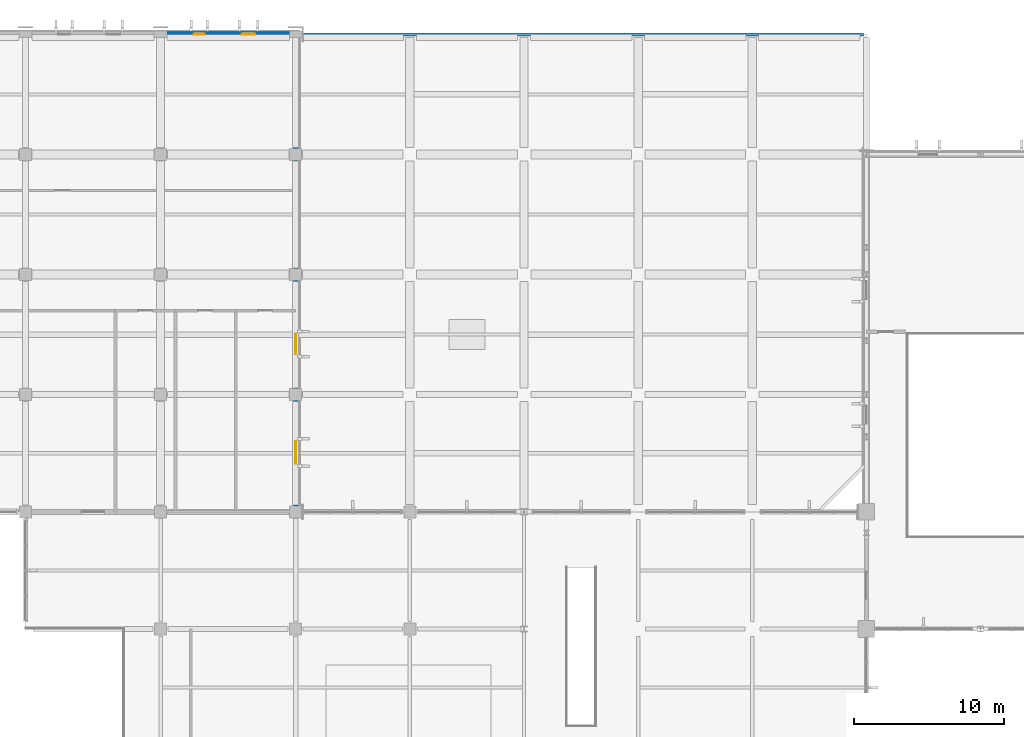
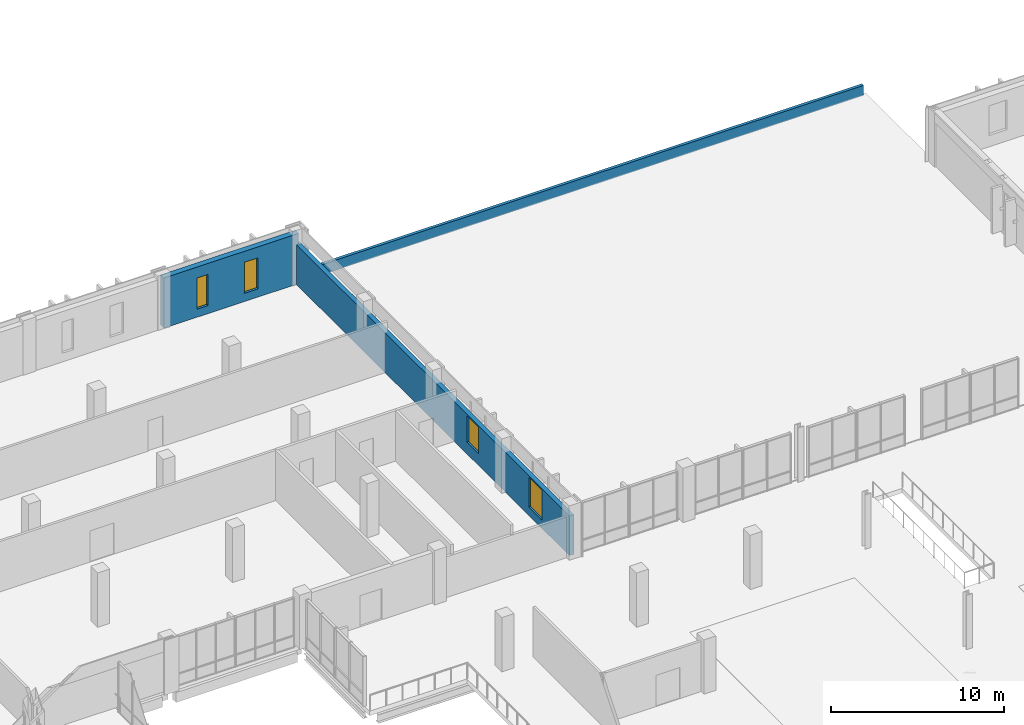
# One storey, part 62 of 85: 4 windows, 3 walls, 4 openings.
"""IFC4 building model written with IfcOpenShell, lengths in metres."""

import ifcopenshell
import ifcopenshell.guid

model = None  # the IFC model being written
_history = None  # IfcOwnerHistory: only IFC2X3 demands one
_inside = {}  # id of a spatial element -> (the spatial element, [elements in it])
_under = {}  # id of a project, library or spatial element -> (it, [spatial elements below it])
_declared = {}  # id of a project -> (the project, [libraries it declares])
_typed = {}  # id of a type object -> (the type object, [elements of that type])
_made_of = {}  # id of a material, layer set ... -> (it, [elements and type objects made of it])


def new_model(schema):
    """Start an empty IFC model of exactly this schema.

    Asked for "IFC4X3", IfcOpenShell would pick the latest addendum, in which some entities
    have other attributes; the version numbers below select the first issue.
    IFC2X3 requires an IfcOwnerHistory on every rooted entity: one is made here for all.
    """
    global model, _history
    if schema == "IFC4X3":
        model = ifcopenshell.file(schema_version=(4, 3, 0, 0))
    else:
        model = ifcopenshell.file(schema=schema)
    _inside.clear()
    _under.clear()
    _declared.clear()
    _typed.clear()
    _made_of.clear()
    _history = None
    if model.schema == "IFC2X3":
        org = make("IfcOrganization", Name="unknown")
        user = make(
            "IfcPersonAndOrganization",
            ThePerson=make("IfcPerson", FamilyName="unknown"),
            TheOrganization=org,
        )
        app = make(
            "IfcApplication",
            ApplicationDeveloper=org,
            Version="unknown",
            ApplicationFullName="unknown",
            ApplicationIdentifier="unknown",
        )
        _history = make(
            "IfcOwnerHistory",
            OwningUser=user,
            OwningApplication=app,
            ChangeAction="ADDED",
            CreationDate=0,
        )
    return model


def make(cls, **values):
    """One entity of the class cls with the attributes given. An attribute that is None is left unset."""
    return model.create_entity(
        cls, **{name: value for name, value in values.items() if value is not None}
    )


def rooted(cls, **values):
    """An entity with a GlobalId (a new one), such as an element, a storey or a relation."""
    return make(cls, GlobalId=ifcopenshell.guid.new(), OwnerHistory=_history, **values)


def si_unit(unit_type, name, prefix=None):
    """IfcSIUnit, for example si_unit("LENGTHUNIT", "METRE", prefix="MILLI")."""
    return make("IfcSIUnit", UnitType=unit_type, Prefix=prefix, Name=name)


def assignment(units):
    """IfcUnitAssignment: the units of a project."""
    return None if units is None else make("IfcUnitAssignment", Units=units)


def point(xyz):
    """IfcCartesianPoint."""
    return None if xyz is None else make("IfcCartesianPoint", Coordinates=xyz)


def direction(xyz):
    """IfcDirection."""
    return None if xyz is None else make("IfcDirection", DirectionRatios=xyz)


def frame(location, z_axis=None, x_axis=None):
    """IfcAxis2Placement3D, a coordinate frame: its origin and axes. An axis left out is left unset."""
    return make(
        "IfcAxis2Placement3D",
        Location=point(location),
        Axis=direction(z_axis),
        RefDirection=direction(x_axis),
    )


def frame_2d(location, x_axis=None):
    """IfcAxis2Placement2D, a coordinate frame in the plane: its origin and x axis."""
    return make(
        "IfcAxis2Placement2D", Location=point(location), RefDirection=direction(x_axis)
    )


def origin():
    """The frame at (0, 0, 0) with its axes left unset."""
    return frame((0.0, 0.0, 0.0))


def place(relative_to, where):
    """IfcLocalPlacement: puts the frame where relative to a parent placement (None: the world)."""
    return make(
        "IfcLocalPlacement", PlacementRelTo=relative_to, RelativePlacement=where
    )


def context(
    kind, dimensions, precision=None, world=None, true_north=None, identifier=None
):
    """IfcGeometricRepresentationContext, for example the 3D "Model" context."""
    return make(
        "IfcGeometricRepresentationContext",
        ContextIdentifier=identifier,
        ContextType=kind,
        CoordinateSpaceDimension=dimensions,
        Precision=precision,
        WorldCoordinateSystem=world,
        TrueNorth=true_north,
    )


def subcontext(parent, identifier, kind, view, scale=None):
    """IfcGeometricRepresentationSubContext, for example "Body" below "Model"."""
    return make(
        "IfcGeometricRepresentationSubContext",
        ContextIdentifier=identifier,
        ContextType=kind,
        ParentContext=parent,
        TargetScale=scale,
        TargetView=view,
    )


def project(units=None, contexts=None):
    """IfcProject with its units and contexts."""
    return rooted(
        "IfcProject",
        Name="project",
        RepresentationContexts=contexts,
        UnitsInContext=assignment(units),
    )


def spatial(cls, under=None, at=None, **own):
    """A site, building, storey or space (cls), placed at a placement, below another one or the project."""
    s = rooted(cls, ObjectPlacement=at, **own)
    if under is not None:
        _under.setdefault(under.id(), (under, []))[1].append(s)
    return s


def profile(cls, at=None, kind="AREA", **sizes):
    """A parametric profile (cls). Its sizes go by their IFC names, for example OverallWidth=200.0."""
    return make(cls, ProfileType=kind, Position=at, **sizes)


def rectangle(**sizes):
    """IfcRectangleProfileDef."""
    return profile("IfcRectangleProfileDef", **sizes)


def extrude(swept, where, along, depth):
    """IfcExtrudedAreaSolid: the profile swept, set in the frame where, extruded along a direction by depth."""
    return make(
        "IfcExtrudedAreaSolid",
        SweptArea=swept,
        Position=where,
        ExtrudedDirection=direction(along),
        Depth=depth,
    )


def shape(context_of_items, identifier, shape_type, items):
    """IfcShapeRepresentation: the items that make up one representation, for example the "Body"."""
    return make(
        "IfcShapeRepresentation",
        ContextOfItems=context_of_items,
        RepresentationIdentifier=identifier,
        RepresentationType=shape_type,
        Items=items,
    )


def material(Name=None, Category=None):
    """IfcMaterial."""
    return make("IfcMaterial", Name=Name, Category=Category)


def layer(
    of_material, thickness, ventilated=None, Name=None, Category=None, Priority=None
):
    """IfcMaterialLayer: one layer of a wall or slab, of a material (None: an air gap)."""
    return make(
        "IfcMaterialLayer",
        Material=of_material,
        LayerThickness=thickness,
        IsVentilated=ventilated,
        Name=Name,
        Category=Category,
        Priority=Priority,
    )


def layer_set(layers, Name=None):
    """IfcMaterialLayerSet."""
    return make("IfcMaterialLayerSet", MaterialLayers=layers, LayerSetName=Name)


def made_of(thing, what):
    """Note that an element or type object is made of a material, layer set ...; save() writes the relation."""
    if what is not None:
        _made_of.setdefault(what.id(), (what, []))[1].append(thing)
    return thing


def type_object(cls, material=None, **own):
    """A type object (cls), such as IfcWallType, which elements share."""
    return made_of(rooted(cls, **own), material)


def element(
    cls,
    number,
    at=None,
    inside=None,
    cuts=None,
    type_object=None,
    material=None,
    context=None,
    identifier="Body",
    shape_type=None,
    held_by="IfcProductDefinitionShape",
    body=None,
    shapes=None,
    **own,
):
    """One element of the class cls, such as IfcWall. Its Tag is "e" and its number.

    at: its placement. inside: the storey or other place that contains it. cuts: it is an
    opening in that element (IfcRelVoidsElement). A single representation is given by context,
    identifier, shape_type and body (its items); several are given by shapes. held_by: the class
    of the entity that holds the representations. save() writes the other relations.
    """
    e = rooted(cls, Tag="e%d" % number, ObjectPlacement=at, **own)
    if body is not None:
        shapes = [shape(context, identifier, shape_type, body)]
    if shapes is not None:
        e.Representation = make(held_by, Representations=shapes)
    if inside is not None:
        _inside.setdefault(inside.id(), (inside, []))[1].append(e)
    if cuts is not None:
        rooted(
            "IfcRelVoidsElement", RelatingBuildingElement=cuts, RelatedOpeningElement=e
        )
    if type_object is not None:
        _typed.setdefault(type_object.id(), (type_object, []))[1].append(e)
    return made_of(e, material)


def fill(opening, filler):
    """IfcRelFillsElement: the door or window that sits in an opening."""
    return rooted(
        "IfcRelFillsElement",
        RelatingOpeningElement=opening,
        RelatedBuildingElement=filler,
    )


def aggregate(whole, parts):
    """IfcRelAggregates: a whole, such as a stair, and the parts it consists of."""
    return rooted("IfcRelAggregates", RelatingObject=whole, RelatedObjects=parts)


def save(model, path):
    """Write the relations noted so far, then the file.

    IfcRelAggregates (storeys below a building ...), IfcRelContainedInSpatialStructure (elements
    in a storey), IfcRelDefinesByType, IfcRelAssociatesMaterial and IfcRelDeclares: one each for
    every whole, place, type object, material and project.
    """
    for whole, parts in _under.values():
        aggregate(whole, parts)
    for where, things in _inside.values():
        rooted(
            "IfcRelContainedInSpatialStructure",
            RelatedElements=things,
            RelatingStructure=where,
        )
    for kind, things in _typed.values():
        rooted("IfcRelDefinesByType", RelatedObjects=things, RelatingType=kind)
    for what, things in _made_of.values():
        rooted("IfcRelAssociatesMaterial", RelatedObjects=things, RelatingMaterial=what)
    for by, libraries in _declared.values():
        rooted("IfcRelDeclares", RelatingContext=by, RelatedDefinitions=libraries)
    model.write(path)


model = new_model("IFC4")

# Units and contexts
model_context = context("Model", 3, precision=1e-05, world=origin(), true_north=direction((0.0, 1.0)))
body_context = subcontext(model_context, "Body", "Model", "MODEL_VIEW")
ifc_project = project(units=[si_unit("LENGTHUNIT", "METRE"), si_unit("AREAUNIT", "SQUARE_METRE"), si_unit("VOLUMEUNIT", "CUBIC_METRE"), si_unit("PLANEANGLEUNIT", "RADIAN"), si_unit("MASSUNIT", "GRAM", prefix="KILO")], contexts=[model_context])

# Site, building, storey
site_placement = place(None, origin())
site = spatial("IfcSite", under=ifc_project, at=site_placement, CompositionType="ELEMENT")
building_placement = place(site_placement, origin())
building = spatial("IfcBuilding", under=site, at=building_placement, Name="Vervanel Yard Central Library", CompositionType="ELEMENT")
storey_placement = place(building_placement, frame((0.0, 0.0, 5.10009765625)))
storey = spatial("IfcBuildingStorey", under=building, at=storey_placement, Name="L01", CompositionType="ELEMENT", Elevation=5.10009765625)

# Wall, openings, windows
ifc_material_1 = material(Name="Precast concrete C45/55", Category="concrete")
ifc_layer_1 = layer(ifc_material_1, 0.300048828125, Category="concrete")
ifc_layer_set_1 = layer_set([ifc_layer_1], Name="Precast concrete C45/55")
wall_type_1 = type_object("IfcWallType", Name="Bush-Hammered Precast Cladding Wall 300", PredefinedType="SOLIDWALL", material=ifc_layer_set_1)
wall_1_placement = place(storey_placement, frame((108.0, 82.199951171875, 0.0), z_axis=(0.0, 0.0, 1.0), x_axis=(0.0, 1.0, 0.0)))
wall_1 = element("IfcWall", 1, at=wall_1_placement, inside=storey, type_object=wall_type_1, Name="L01 Bush-Hammered Precast Cladding Wall 300 EWALL-L01-0031", PredefinedType="SOLIDWALL", context=body_context, shape_type="SweptSolid", body=[
    extrude(rectangle(XDim=31.800048828125, YDim=0.300048828125, at=frame_2d((15.89990234375, 0.0))), origin(), (0.0, 0.0, 1.0), 2.81494140625),
])
opening_1_placement = place(wall_1_placement, frame((3.199951171875, 0.0, 0.594970703125)))
opening_1 = element("IfcOpeningElement", 2, at=opening_1_placement, cuts=wall_1, Name="Opening WN-02", PredefinedType="OPENING", context=body_context, shape_type="SweptSolid", body=[
    extrude(rectangle(XDim=1.5, YDim=2.10009765625, at=frame_2d((0.75, 1.050048828125))), frame((0.0, 0.159912109375, 0.0), z_axis=(0.0, -1.0, 0.0), x_axis=(1.0, 0.0, 0.0)), (0.0, 0.0, 1.0), 0.320068359375),
])
opening_2_placement = place(wall_1_placement, frame((10.5, 0.0, 0.844970703125)))
opening_2 = element("IfcOpeningElement", 3, at=opening_2_placement, cuts=wall_1, Name="Opening WN-17", PredefinedType="OPENING", context=body_context, shape_type="SweptSolid", body=[
    extrude(rectangle(XDim=1.35009765625, YDim=1.85009765625, at=frame_2d((0.675048828125, 0.925048828125))), frame((0.0, 0.159912109375, 0.0), z_axis=(0.0, -1.0, 0.0), x_axis=(1.0, 0.0, 0.0)), (0.0, 0.0, 1.0), 0.320068359375),
])
ifc_material_2 = material(Name="Double low-E laminated solar-control glass", Category="glass")
window_type_1 = type_object("IfcWindowType", Name="Archive Office Window 1350x1850", PartitioningType="SINGLE_PANEL", PredefinedType="WINDOW", material=ifc_material_2)
window_1_placement = place(opening_2_placement, origin())
window_1 = element("IfcWindow", 4, at=window_1_placement, inside=storey, type_object=window_type_1, Name="L01 Archive Office Window 1350x1850 44", OverallHeight=1.85009765625, OverallWidth=1.35009765625, PartitioningType="SINGLE_PANEL", PredefinedType="WINDOW", context=body_context, shape_type="SweptSolid", body=[
    extrude(rectangle(XDim=1.35009765625, YDim=1.85009765625, at=frame_2d((0.675048828125, 0.925048828125))), frame((0.0, 0.030029296875, 0.0), z_axis=(0.0, -1.0, 0.0), x_axis=(1.0, 0.0, 0.0)), (0.0, 0.0, 1.0), 0.06005859375),
])
fill(opening_2, window_1)
window_type_2 = type_object("IfcWindowType", Name="Reading Bay Window 1500x2100", PartitioningType="SINGLE_PANEL", PredefinedType="WINDOW", material=ifc_material_2)
window_2_placement = place(opening_1_placement, origin())
window_2 = element("IfcWindow", 5, at=window_2_placement, inside=storey, type_object=window_type_2, Name="L01 Reading Bay Window 1500x2100 43", OverallHeight=2.10009765625, OverallWidth=1.5, PartitioningType="SINGLE_PANEL", PredefinedType="WINDOW", context=body_context, shape_type="SweptSolid", body=[
    extrude(rectangle(XDim=1.5, YDim=2.10009765625, at=frame_2d((0.75, 1.050048828125))), frame((0.0, 0.030029296875, 0.0), z_axis=(0.0, -1.0, 0.0), x_axis=(1.0, 0.0, 0.0)), (0.0, 0.0, 1.0), 0.06005859375),
])
fill(opening_1, window_2)

ifc_material_3 = material(Name="Concrete C45/55", Category="concrete")
ifc_layer_2 = layer(ifc_material_3, 0.3798828125, Category="concrete")
ifc_layer_set_2 = layer_set([ifc_layer_2], Name="Concrete C45/55")
wall_type_2 = type_object("IfcWallType", Name="Exterior Bearing Concrete Spine Wall 380", PredefinedType="SOLIDWALL", material=ifc_layer_set_2)
wall_2_placement = place(storey_placement, frame((99.0, 114.0, 0.0), z_axis=(0.0, 0.0, 1.0), x_axis=(1.0, 0.0, 0.0)))
wall_2 = element("IfcWall", 6, at=wall_2_placement, inside=storey, type_object=wall_type_2, Name="L01 Exterior Bearing Concrete Spine Wall 380 EWALL-L01-0026", PredefinedType="SOLIDWALL", context=body_context, shape_type="SweptSolid", body=[
    extrude(rectangle(XDim=9.0, YDim=0.3798828125, at=frame_2d((4.5, 0.0))), origin(), (0.0, 0.0, 1.0), 3.5498046875),
])
opening_3_placement = place(wall_2_placement, frame((2.199951171875, 0.0, 0.574951171875)))
opening_3 = element("IfcOpeningElement", 7, at=opening_3_placement, cuts=wall_2, Name="Opening WN-04", PredefinedType="OPENING", context=body_context, shape_type="SweptSolid", body=[
    extrude(rectangle(XDim=0.75, YDim=2.199951171875, at=frame_2d((0.375, 1.10009765625))), frame((0.0, 0.199951171875, 0.0), z_axis=(0.0, -1.0, 0.0), x_axis=(1.0, 0.0, 0.0)), (0.0, 0.0, 1.0), 0.39990234375),
])
opening_4_placement = place(wall_2_placement, frame((5.39990234375, 0.0, 0.574951171875)))
opening_4 = element("IfcOpeningElement", 8, at=opening_4_placement, cuts=wall_2, Name="Opening WN-05", PredefinedType="OPENING", context=body_context, shape_type="SweptSolid", body=[
    extrude(rectangle(XDim=0.89990234375, YDim=2.199951171875, at=frame_2d((0.449951171875, 1.10009765625))), frame((0.0, 0.199951171875, 0.0), z_axis=(0.0, -1.0, 0.0), x_axis=(1.0, 0.0, 0.0)), (0.0, 0.0, 1.0), 0.39990234375),
])
window_type_3 = type_object("IfcWindowType", Name="Stack Deep-Reveal Window 900x2200", PartitioningType="SINGLE_PANEL", PredefinedType="WINDOW", material=ifc_material_2)
window_3_placement = place(opening_4_placement, origin())
window_3 = element("IfcWindow", 9, at=window_3_placement, inside=storey, type_object=window_type_3, Name="L01 Stack Deep-Reveal Window 900x2200 35", OverallHeight=2.199951171875, OverallWidth=0.89990234375, PartitioningType="SINGLE_PANEL", PredefinedType="WINDOW", context=body_context, shape_type="SweptSolid", body=[
    extrude(rectangle(XDim=0.89990234375, YDim=2.199951171875, at=frame_2d((0.449951171875, 1.10009765625))), frame((0.0, 0.030029296875, 0.0), z_axis=(0.0, -1.0, 0.0), x_axis=(1.0, 0.0, 0.0)), (0.0, 0.0, 1.0), 0.06005859375),
])
fill(opening_4, window_3)
window_type_4 = type_object("IfcWindowType", Name="Stack Narrow UV-Filtered Window 750x2200", PartitioningType="SINGLE_PANEL", PredefinedType="WINDOW", material=ifc_material_2)
window_4_placement = place(opening_3_placement, origin())
window_4 = element("IfcWindow", 10, at=window_4_placement, inside=storey, type_object=window_type_4, Name="L01 Stack Narrow UV-Filtered Window 750x2200 34", OverallHeight=2.199951171875, OverallWidth=0.75, PartitioningType="SINGLE_PANEL", PredefinedType="WINDOW", context=body_context, shape_type="SweptSolid", body=[
    extrude(rectangle(XDim=0.75, YDim=2.199951171875, at=frame_2d((0.375, 1.10009765625))), frame((0.0, 0.030029296875, 0.0), z_axis=(0.0, -1.0, 0.0), x_axis=(1.0, 0.0, 0.0)), (0.0, 0.0, 1.0), 0.06005859375),
])
fill(opening_3, window_4)

# Wall
ifc_material_4 = material(Name="Concrete C40/50", Category="concrete")
ifc_layer_3 = layer(ifc_material_4, 0.199951171875, Category="concrete")
ifc_layer_set_3 = layer_set([ifc_layer_3], Name="Concrete C40/50")
wall_type_3 = type_object("IfcWallType", Name="Setback Roof Concrete Parapet 200", PredefinedType="PARAPET", material=ifc_layer_set_3)
wall_3_placement = place(storey_placement, frame((145.800048828125, 114.0, 0.0), z_axis=(0.0, 0.0, 1.0), x_axis=(-1.0, 0.0, 0.0)))
element("IfcWall", 11, at=wall_3_placement, inside=storey, type_object=wall_type_3, Name="L01 Roof Parapet 2", PredefinedType="PARAPET", context=body_context, shape_type="SweptSolid", body=[
    extrude(rectangle(XDim=37.60009765625, YDim=0.199951171875, at=frame_2d((18.800048828125, 0.0))), origin(), (0.0, 0.0, 1.0), 0.719970703125),
])

save(model, "model.ifc")
